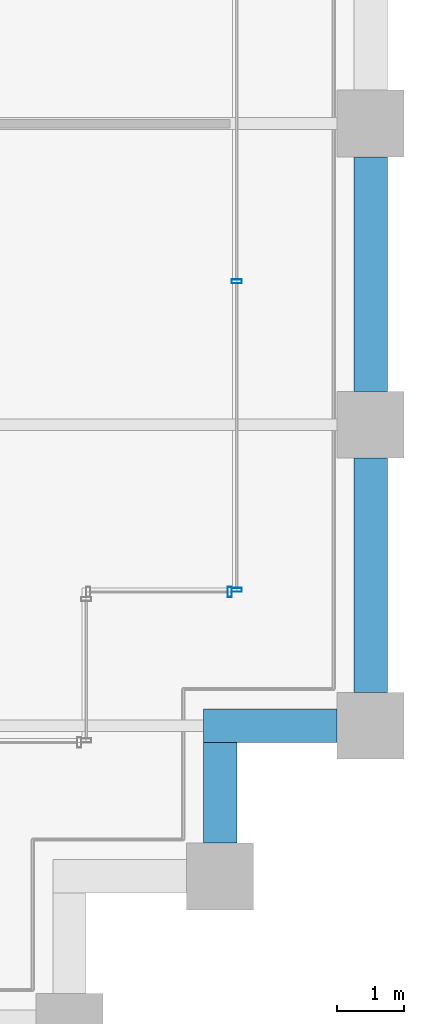
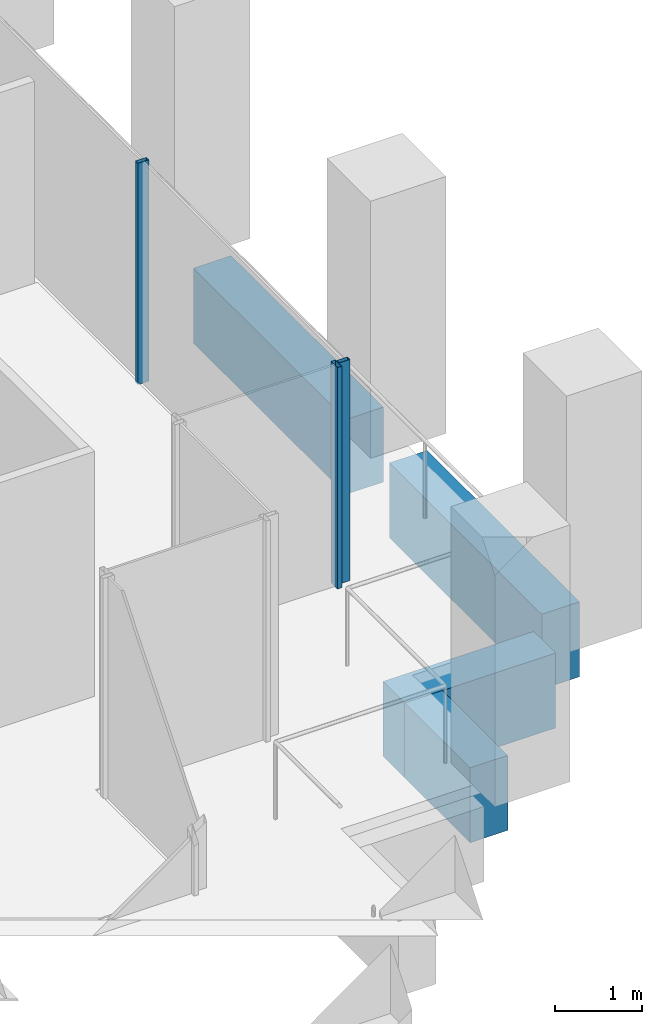
# One storey, part 37 of 46: 4 beams, 3 members, 2 elements without a shape of their own.
"""IFC4 building model written with IfcOpenShell, lengths in metres."""

from ifc_helpers import new_model, si_unit, direction, frame, origin, origin_2d, place, context, subcontext, project, spatial, rectangle, hollow_rectangle, extrude, material, material_profile, profile_set, type_object, element, aggregate, save


model = new_model("IFC4")

# Units and contexts
model_context = context("Model", 3, precision=1e-05, world=origin(), true_north=direction((0.0, 1.0)))
body_context = subcontext(model_context, "Body", "Model", "MODEL_VIEW")
ifc_project = project(units=[si_unit("LENGTHUNIT", "METRE"), si_unit("AREAUNIT", "SQUARE_METRE"), si_unit("VOLUMEUNIT", "CUBIC_METRE"), si_unit("PLANEANGLEUNIT", "RADIAN"), si_unit("MASSUNIT", "GRAM", prefix="KILO")], contexts=[model_context])

# Site, building, storey
site_placement = place(None, origin())
site = spatial("IfcSite", under=ifc_project, at=site_placement, CompositionType="ELEMENT")
building_placement = place(site_placement, origin())
building = spatial("IfcBuilding", under=site, at=building_placement, Name="Altepetl Exchange Towers", CompositionType="ELEMENT")
storey_placement = place(building_placement, frame((0.0, 0.0, 120.800048828125)))
storey = spatial("IfcBuildingStorey", under=building, at=storey_placement, Name="L29", CompositionType="ELEMENT", Elevation=120.800048828125)

# Curtain wall, member
ifc_material_1 = material(Name="Aluminium 6063-T6 glazing", Category="aluminium")
curtain_wall_type = type_object("IfcCurtainWallType", Name="Loggia glazing system", PredefinedType="NOTDEFINED", material=ifc_material_1)
curtain_wall_1_placement = place(storey_placement, origin())
curtain_wall_1 = element("IfcCurtainWall", 1, at=curtain_wall_1_placement, inside=storey, type_object=curtain_wall_type, Name="CW1 run", PredefinedType="NOTDEFINED")
ifc_material_2 = material(Name="Aluminium 6063-T6", Category="aluminium")
ifc_material_profile_1 = material_profile(ifc_material_2, hollow_rectangle(XDim=0.06005859375, YDim=0.14990234375, WallThickness=0.0029296875, at=origin_2d()), Name="Mullion 60x150 aluminium")
ifc_profile_set_1 = profile_set([ifc_material_profile_1], Name="Aluminium 6063-T6")
member_type = type_object("IfcMemberType", Name="Mullion 60x150 aluminium", PredefinedType="MULLION", material=ifc_profile_set_1)
member_1_placement = place(storey_placement, frame((123.89501953125, 33.5, 0.0)))
member_1 = element("IfcMember", 2, at=member_1_placement, type_object=member_type, Name="MU1 mullion", PredefinedType="MULLION", context=body_context, shape_type="SweptSolid", body=[
    extrude(hollow_rectangle(XDim=0.06005859375, YDim=0.14990234375, WallThickness=0.0029296875, at=origin_2d()), origin(), (0.0, 0.0, 1.0), 3.099853515625),
])
aggregate(curtain_wall_1, [member_1])

# Curtain wall, members
curtain_wall_2_placement = place(storey_placement, origin())
curtain_wall_2 = element("IfcCurtainWall", 3, at=curtain_wall_2_placement, inside=storey, type_object=curtain_wall_type, Name="CW1 run", PredefinedType="NOTDEFINED")
member_2_placement = place(storey_placement, frame((124.0, 33.530029296875, 0.0), z_axis=(0.0, 0.0, 1.0), x_axis=(0.0, 1.0, 0.0)))
member_2 = element("IfcMember", 4, at=member_2_placement, type_object=member_type, Name="MU1 mullion", PredefinedType="MULLION", context=body_context, shape_type="SweptSolid", body=[
    extrude(hollow_rectangle(XDim=0.06005859375, YDim=0.14990234375, WallThickness=0.0029296875, at=origin_2d()), origin(), (0.0, 0.0, 1.0), 3.099853515625),
])
member_3_placement = place(storey_placement, frame((124.0, 38.1416015625, 0.0), z_axis=(0.0, 0.0, 1.0), x_axis=(0.0, 1.0, 0.0)))
member_3 = element("IfcMember", 5, at=member_3_placement, type_object=member_type, Name="MU1 mullion", PredefinedType="MULLION", context=body_context, shape_type="SweptSolid", body=[
    extrude(hollow_rectangle(XDim=0.06005859375, YDim=0.14990234375, WallThickness=0.0029296875, at=origin_2d()), origin(), (0.0, 0.0, 1.0), 3.099853515625),
])
aggregate(curtain_wall_2, [member_2, member_3])

# Beams
ifc_material_3 = material(Name="Concrete C50/60 precast with cantera blanca facing", Category="concrete")
ifc_material_profile_2 = material_profile(ifc_material_3, rectangle(XDim=0.5, YDim=1.050048828125, at=origin_2d()), Name="500 x 1050")
ifc_profile_set_2 = profile_set([ifc_material_profile_2], Name="Concrete C50/60 precast with cantera blanca facing")
beam_type = type_object("IfcBeamType", Name="Spandrel beam 500x1050 cantera blanca", PredefinedType="SPANDREL", material=ifc_profile_set_2)
beam_1_placement = place(storey_placement, frame((123.75, 29.75, -0.675048828125), z_axis=(0.0, 1.0, 0.0), x_axis=(-1.0, 0.0, 0.0)))
element("IfcBeam", 6, at=beam_1_placement, inside=storey, type_object=beam_type, Name="sp:B:L29:007", PredefinedType="SPANDREL", context=body_context, shape_type="SweptSolid", body=[
    extrude(rectangle(XDim=0.5, YDim=1.050048828125, at=origin_2d()), origin(), (0.0, 0.0, 1.0), 1.5),
])
beam_2_placement = place(storey_placement, frame((123.5, 31.5, -0.675048828125), z_axis=(1.0, 0.0, 0.0), x_axis=(0.0, 1.0, 0.0)))
element("IfcBeam", 7, at=beam_2_placement, inside=storey, type_object=beam_type, Name="sp:B:L29:008", PredefinedType="SPANDREL", context=body_context, shape_type="SweptSolid", body=[
    extrude(rectangle(XDim=0.5, YDim=1.050048828125, at=origin_2d()), origin(), (0.0, 0.0, 1.0), 2.0),
])
for number, where, z_axis, x_axis, name in (
    (8, (126.0, 32.0, -0.675048828125), (0.0, 1.0, 0.0), (-1.0, 0.0, 0.0), "sp:B:L29:009"),
    (9, (126.0, 36.5, -0.675048828125), (0.0, 1.0, 0.0), (-1.0, 0.0, 0.0), "sp:B:L29:010"),
):
    element("IfcBeam", number, at=place(storey_placement, frame(where, z_axis=z_axis, x_axis=x_axis)), inside=storey, type_object=beam_type, Name=name, PredefinedType="SPANDREL", context=body_context, shape_type="SweptSolid", body=[
        extrude(rectangle(XDim=0.5, YDim=1.050048828125, at=origin_2d()), origin(), (0.0, 0.0, 1.0), 3.5),
    ])

save(model, "model.ifc")
